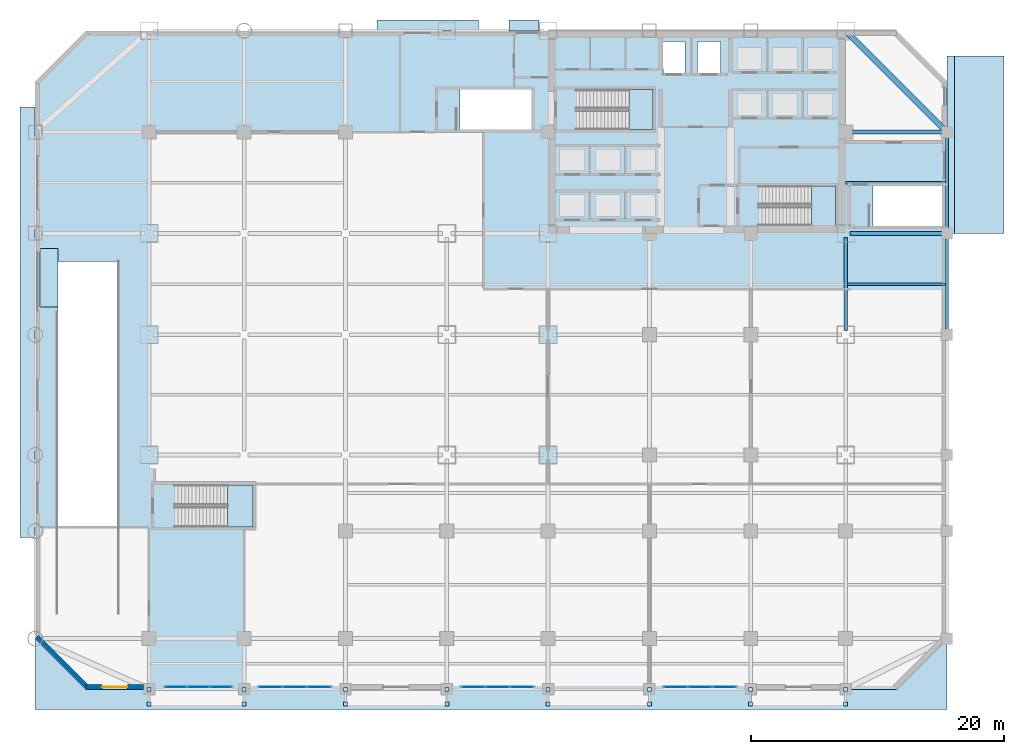
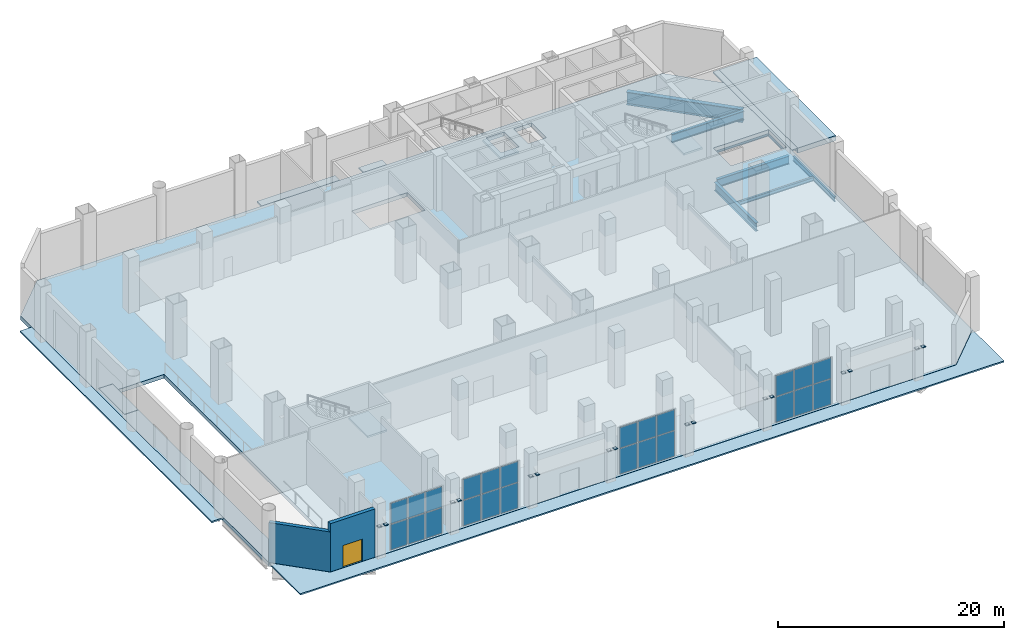
# One storey, part 10 of 19: 40 plates, 11 slabs, 8 beams, 2 walls, 1 door, 1 opening, 7 elements without a shape of their own.
"""IFC4 building model written with IfcOpenShell, lengths in metres."""

from ifc_helpers import new_model, si_unit, direction, frame, frame_2d, origin, origin_2d, place, context, subcontext, project, spatial, polyline, rectangle, i_section, outline, extrude, material, layer, layer_set, material_profile, profile_set, type_object, element, fill, aggregate, save


model = new_model("IFC4")

# Units and contexts
model_context = context("Model", 3, precision=1e-05, world=origin(), true_north=direction((0.0, 1.0)))
body_context = subcontext(model_context, "Body", "Model", "MODEL_VIEW")
ifc_project = project(units=[si_unit("LENGTHUNIT", "METRE"), si_unit("AREAUNIT", "SQUARE_METRE"), si_unit("VOLUMEUNIT", "CUBIC_METRE"), si_unit("PLANEANGLEUNIT", "RADIAN"), si_unit("MASSUNIT", "GRAM", prefix="KILO")], contexts=[model_context])

# Site, building, storey
site_placement = place(None, origin())
site = spatial("IfcSite", under=ifc_project, at=site_placement, CompositionType="ELEMENT")
building_placement = place(site_placement, origin())
building = spatial("IfcBuilding", under=site, at=building_placement, Name="Qianrong Seaharbour Tower", CompositionType="ELEMENT")
storey_placement = place(building_placement, origin())
storey = spatial("IfcBuildingStorey", under=building, at=storey_placement, Name="L01", CompositionType="ELEMENT", Elevation=0.0)

# Beams
ifc_material_1 = material(Name="Structural steel SN490B", Category="steel")
ifc_material_profile_1 = material_profile(ifc_material_1, i_section(OverallWidth=0.300048828125, OverallDepth=0.89990234375, WebThickness=0.01611328125, FlangeThickness=0.028076171875, FilletRadius=0.028076171875, at=origin_2d()), Name="H900x300x16x28")
ifc_profile_set_1 = profile_set([ifc_material_profile_1], Name="Structural steel SN490B")
beam_type_1 = type_object("IfcBeamType", Name="BM-G-900", PredefinedType="BEAM", material=ifc_profile_set_1)
for number, where, z_axis, x_axis, name in (
    (1, (64.320068359375, 36.0, -0.8701171875), (1.0, 0.0, 0.0), (0.0, 1.0, 0.0), "L01 Primary Girder GF G9-G10"),
    (2, (64.320068359375, 44.0, -0.8701171875), (1.0, 0.0, 0.0), (0.0, 1.0, 0.0), "L01 Primary Girder GG G9-G10"),
    (3, (64.0, 28.320068359375, -0.8701171875), (0.0, 1.0, 0.0), (-1.0, 0.0, 0.0), "L01 Primary Girder G9 GE-GF"),
):
    element("IfcBeam", number, at=place(storey_placement, frame(where, z_axis=z_axis, x_axis=x_axis)), inside=storey, type_object=beam_type_1, Name=name, PredefinedType="BEAM", context=body_context, shape_type="SweptSolid", body=[
        extrude(i_section(OverallWidth=0.300048828125, OverallDepth=0.89990234375, WebThickness=0.01611328125, FlangeThickness=0.028076171875, FilletRadius=0.028076171875, at=origin_2d()), origin(), (0.0, 0.0, 1.0), 7.35986328125),
    ])
ifc_material_2 = material(Name="Structural steel SN400B", Category="steel")
ifc_material_profile_2 = material_profile(ifc_material_2, i_section(OverallWidth=0.199951171875, OverallDepth=0.39990234375, WebThickness=0.008056640625, FlangeThickness=0.012939453125, FilletRadius=0.01611328125, at=origin_2d()), Name="H400x200x8x13")
ifc_profile_set_2 = profile_set([ifc_material_profile_2], Name="Structural steel SN400B")
beam_type_2 = type_object("IfcBeamType", Name="BM-J-400", PredefinedType="JOIST", material=ifc_profile_set_2)
beam_1_placement = place(storey_placement, frame((64.14990234375, 32.0, -0.6201171875), z_axis=(1.0, 0.0, 0.0), x_axis=(0.0, 1.0, 0.0)))
element("IfcBeam", 4, at=beam_1_placement, inside=storey, type_object=beam_type_2, Name="L01 Composite Floor Joist G9-G10/GE-GF", PredefinedType="JOIST", context=body_context, shape_type="SweptSolid", body=[
    extrude(i_section(OverallWidth=0.199951171875, OverallDepth=0.39990234375, WebThickness=0.008056640625, FlangeThickness=0.012939453125, FilletRadius=0.01611328125, at=origin_2d()), origin(), (0.0, 0.0, 1.0), 7.75),
])
beam_2_placement = place(storey_placement, frame((64.0, 40.0, -0.6201171875), z_axis=(1.0, 0.0, 0.0), x_axis=(0.0, 1.0, 0.0)))
element("IfcBeam", 5, at=beam_2_placement, inside=storey, type_object=beam_type_2, Name="L01 Composite Floor Joist G9-G10/GF-GG", PredefinedType="JOIST", context=body_context, shape_type="SweptSolid", body=[
    extrude(i_section(OverallWidth=0.199951171875, OverallDepth=0.39990234375, WebThickness=0.008056640625, FlangeThickness=0.012939453125, FilletRadius=0.01611328125, at=origin_2d()), origin(), (0.0, 0.0, 1.0), 7.89990234375),
])
ifc_material_profile_3 = material_profile(ifc_material_1, i_section(OverallWidth=0.199951171875, OverallDepth=0.5, WebThickness=0.010009765625, FlangeThickness=0.01611328125, FilletRadius=0.02001953125, at=origin_2d()), Name="H500x200x10x16")
ifc_profile_set_3 = profile_set([ifc_material_profile_3], Name="Structural steel SN490B")
beam_type_3 = type_object("IfcBeamType", Name="BM-SP-500", PredefinedType="SPANDREL", material=ifc_profile_set_3)
for number, where, z_axis, x_axis, name in (
    (6, (72.0, 28.320068359375, -0.669921875), (0.0, 1.0, 0.0), (-1.0, 0.0, 0.0), "L01 Spandrel Girder G10 GE-GF"),
    (7, (72.0, 36.320068359375, -0.669921875), (0.0, 1.0, 0.0), (-1.0, 0.0, 0.0), "L01 Spandrel Girder G10 GF-GG"),
):
    element("IfcBeam", number, at=place(storey_placement, frame(where, z_axis=z_axis, x_axis=x_axis)), inside=storey, type_object=beam_type_3, Name=name, PredefinedType="SPANDREL", context=body_context, shape_type="SweptSolid", body=[
        extrude(i_section(OverallWidth=0.199951171875, OverallDepth=0.5, WebThickness=0.010009765625, FlangeThickness=0.01611328125, FilletRadius=0.02001953125, at=origin_2d()), origin(), (0.0, 0.0, 1.0), 7.35986328125),
    ])
ifc_material_profile_4 = material_profile(ifc_material_1, i_section(OverallWidth=0.449951171875, OverallDepth=1.39990234375, WebThickness=0.02197265625, FlangeThickness=0.0400390625, at=origin_2d()), Name="BH1400x450x22x40")
ifc_profile_set_4 = profile_set([ifc_material_profile_4], Name="Structural steel SN490B")
beam_type_4 = type_object("IfcBeamType", Name="BM-TG-1400", PredefinedType="BEAM", material=ifc_profile_set_4)
beam_3_placement = place(storey_placement, frame((64.226318359375, 51.773681640625, -1.1201171875), z_axis=(0.707106781187, -0.707106781187, 0.0), x_axis=(0.707106781187, 0.707106781187, 0.0)))
element("IfcBeam", 8, at=beam_3_placement, inside=storey, type_object=beam_type_4, Name="L01 Chamfer Corner Spandrel Girder G10/GH", PredefinedType="BEAM", context=body_context, shape_type="SweptSolid", body=[
    extrude(i_section(OverallWidth=0.449951171875, OverallDepth=1.39990234375, WebThickness=0.02197265625, FlangeThickness=0.0400390625, at=origin_2d()), origin(), (0.0, 0.0, 1.0), 10.673583984375),
])

# Curtain wall, plates
ifc_material_3 = material(Name="Anodised aluminium 6063-T6 and laminated low-e glass", Category="aluminium")
ifc_layer_1 = layer(ifc_material_3, 0.219970703125)
ifc_layer_set_1 = layer_set([ifc_layer_1], Name="Anodised aluminium 6063-T6 and laminated low-e glass")
curtain_wall_type = type_object("IfcCurtainWallType", Name="CW-SYS-1", PredefinedType="NOTDEFINED", material=ifc_layer_set_1)
curtain_wall_1_placement = place(storey_placement, origin())
curtain_wall_1 = element("IfcCurtainWall", 9, at=curtain_wall_1_placement, inside=storey, type_object=curtain_wall_type, Name="L01 Waterfront Colonnade Curtain Wall Bay 1", PredefinedType="NOTDEFINED")
ifc_material_4 = material(Name="Laminated solar-control low-e glass", Category="glass")
ifc_layer_2 = layer(ifc_material_4, 0.031982421875)
ifc_layer_set_2 = layer_set([ifc_layer_2], Name="Laminated solar-control low-e glass")
plate_type_1 = type_object("IfcPlateType", Name="CW-PAN-VISION-32", PredefinedType="CURTAIN_PANEL", material=ifc_layer_set_2)
plate_1_placement = place(storey_placement, frame((14.679931640625, 0.18994140625, 0.06982421875), z_axis=(0.0, 0.0, 1.0), x_axis=(-1.0, 0.0, 0.0)))
plate_1 = element("IfcPlate", 10, at=plate_1_placement, type_object=plate_type_1, Name="CW-1 panel 1.1", PredefinedType="CURTAIN_PANEL", context=body_context, shape_type="SweptSolid", body=[
    extrude(rectangle(XDim=1.679931640625, YDim=0.031982421875, at=origin_2d()), origin(), (0.0, 0.0, 1.0), 2.743896484375),
])
plate_2_placement = place(storey_placement, frame((14.679931640625, 0.18994140625, 2.884033203125), z_axis=(0.0, 0.0, 1.0), x_axis=(-1.0, 0.0, 0.0)))
plate_2 = element("IfcPlate", 11, at=plate_2_placement, type_object=plate_type_1, Name="CW-1 panel 1.2", PredefinedType="CURTAIN_PANEL", context=body_context, shape_type="SweptSolid", body=[
    extrude(rectangle(XDim=1.679931640625, YDim=0.031982421875, at=origin_2d()), origin(), (0.0, 0.0, 1.0), 2.22607421875),
])
plate_3_placement = place(storey_placement, frame((12.89990234375, 0.18994140625, 0.06982421875), z_axis=(0.0, 0.0, 1.0), x_axis=(-1.0, 0.0, 0.0)))
plate_3 = element("IfcPlate", 12, at=plate_3_placement, type_object=plate_type_1, Name="CW-1 panel 2.1", PredefinedType="CURTAIN_PANEL", context=body_context, shape_type="SweptSolid", body=[
    extrude(rectangle(XDim=1.719970703125, YDim=0.031982421875, at=origin_2d()), origin(), (0.0, 0.0, 1.0), 2.743896484375),
])
plate_4_placement = place(storey_placement, frame((12.89990234375, 0.18994140625, 2.884033203125), z_axis=(0.0, 0.0, 1.0), x_axis=(-1.0, 0.0, 0.0)))
plate_4 = element("IfcPlate", 13, at=plate_4_placement, type_object=plate_type_1, Name="CW-1 panel 2.2", PredefinedType="CURTAIN_PANEL", context=body_context, shape_type="SweptSolid", body=[
    extrude(rectangle(XDim=1.719970703125, YDim=0.031982421875, at=origin_2d()), origin(), (0.0, 0.0, 1.0), 2.22607421875),
])
plate_5_placement = place(storey_placement, frame((11.1201171875, 0.18994140625, 0.06982421875), z_axis=(0.0, 0.0, 1.0), x_axis=(-1.0, 0.0, 0.0)))
plate_5 = element("IfcPlate", 14, at=plate_5_placement, type_object=plate_type_1, Name="CW-1 panel 3.1", PredefinedType="CURTAIN_PANEL", context=body_context, shape_type="SweptSolid", body=[
    extrude(rectangle(XDim=1.679931640625, YDim=0.031982421875, at=origin_2d()), origin(), (0.0, 0.0, 1.0), 2.743896484375),
])
plate_6_placement = place(storey_placement, frame((11.1201171875, 0.18994140625, 2.884033203125), z_axis=(0.0, 0.0, 1.0), x_axis=(-1.0, 0.0, 0.0)))
plate_6 = element("IfcPlate", 15, at=plate_6_placement, type_object=plate_type_1, Name="CW-1 panel 3.2", PredefinedType="CURTAIN_PANEL", context=body_context, shape_type="SweptSolid", body=[
    extrude(rectangle(XDim=1.679931640625, YDim=0.031982421875, at=origin_2d()), origin(), (0.0, 0.0, 1.0), 2.22607421875),
])
aggregate(curtain_wall_1, [plate_1, plate_2, plate_3, plate_4, plate_5, plate_6])

curtain_wall_2_placement = place(storey_placement, origin())
curtain_wall_2 = element("IfcCurtainWall", 16, at=curtain_wall_2_placement, inside=storey, type_object=curtain_wall_type, Name="L01 Waterfront Colonnade Curtain Wall Bay 2", PredefinedType="NOTDEFINED")
plate_7_placement = place(storey_placement, frame((22.413330078125, 0.18994140625, 0.06982421875), z_axis=(0.0, 0.0, 1.0), x_axis=(-1.0, 0.0, 0.0)))
plate_7 = element("IfcPlate", 17, at=plate_7_placement, type_object=plate_type_1, Name="CW-1 panel 1.1", PredefinedType="CURTAIN_PANEL", context=body_context, shape_type="SweptSolid", body=[
    extrude(rectangle(XDim=1.813232421875, YDim=0.031982421875, at=origin_2d()), origin(), (0.0, 0.0, 1.0), 2.743896484375),
])
plate_8_placement = place(storey_placement, frame((22.413330078125, 0.18994140625, 2.884033203125), z_axis=(0.0, 0.0, 1.0), x_axis=(-1.0, 0.0, 0.0)))
plate_8 = element("IfcPlate", 18, at=plate_8_placement, type_object=plate_type_1, Name="CW-1 panel 1.2", PredefinedType="CURTAIN_PANEL", context=body_context, shape_type="SweptSolid", body=[
    extrude(rectangle(XDim=1.813232421875, YDim=0.031982421875, at=origin_2d()), origin(), (0.0, 0.0, 1.0), 2.22607421875),
])
plate_9_placement = place(storey_placement, frame((20.5, 0.18994140625, 0.06982421875), z_axis=(0.0, 0.0, 1.0), x_axis=(-1.0, 0.0, 0.0)))
plate_9 = element("IfcPlate", 19, at=plate_9_placement, type_object=plate_type_1, Name="CW-1 panel 2.1", PredefinedType="CURTAIN_PANEL", context=body_context, shape_type="SweptSolid", body=[
    extrude(rectangle(XDim=1.853271484375, YDim=0.031982421875, at=origin_2d()), origin(), (0.0, 0.0, 1.0), 2.743896484375),
])
plate_10_placement = place(storey_placement, frame((20.5, 0.18994140625, 2.884033203125), z_axis=(0.0, 0.0, 1.0), x_axis=(-1.0, 0.0, 0.0)))
plate_10 = element("IfcPlate", 20, at=plate_10_placement, type_object=plate_type_1, Name="CW-1 panel 2.2", PredefinedType="CURTAIN_PANEL", context=body_context, shape_type="SweptSolid", body=[
    extrude(rectangle(XDim=1.853271484375, YDim=0.031982421875, at=origin_2d()), origin(), (0.0, 0.0, 1.0), 2.22607421875),
])
plate_11_placement = place(storey_placement, frame((18.586669921875, 0.18994140625, 0.06982421875), z_axis=(0.0, 0.0, 1.0), x_axis=(-1.0, 0.0, 0.0)))
plate_11 = element("IfcPlate", 21, at=plate_11_placement, type_object=plate_type_1, Name="CW-1 panel 3.1", PredefinedType="CURTAIN_PANEL", context=body_context, shape_type="SweptSolid", body=[
    extrude(rectangle(XDim=1.813232421875, YDim=0.031982421875, at=origin_2d()), origin(), (0.0, 0.0, 1.0), 2.743896484375),
])
plate_12_placement = place(storey_placement, frame((18.586669921875, 0.18994140625, 2.884033203125), z_axis=(0.0, 0.0, 1.0), x_axis=(-1.0, 0.0, 0.0)))
plate_12 = element("IfcPlate", 22, at=plate_12_placement, type_object=plate_type_1, Name="CW-1 panel 3.2", PredefinedType="CURTAIN_PANEL", context=body_context, shape_type="SweptSolid", body=[
    extrude(rectangle(XDim=1.813232421875, YDim=0.031982421875, at=origin_2d()), origin(), (0.0, 0.0, 1.0), 2.22607421875),
])
aggregate(curtain_wall_2, [plate_7, plate_8, plate_9, plate_10, plate_11, plate_12])

curtain_wall_3_placement = place(storey_placement, origin())
curtain_wall_3 = element("IfcCurtainWall", 23, at=curtain_wall_3_placement, inside=storey, type_object=curtain_wall_type, Name="L01 Waterfront Colonnade Curtain Wall Bay 3", PredefinedType="NOTDEFINED")
plate_13_placement = place(storey_placement, frame((38.413330078125, 0.18994140625, 0.06982421875), z_axis=(0.0, 0.0, 1.0), x_axis=(-1.0, 0.0, 0.0)))
plate_13 = element("IfcPlate", 24, at=plate_13_placement, type_object=plate_type_1, Name="CW-1 panel 1.1", PredefinedType="CURTAIN_PANEL", context=body_context, shape_type="SweptSolid", body=[
    extrude(rectangle(XDim=1.813232421875, YDim=0.031982421875, at=origin_2d()), origin(), (0.0, 0.0, 1.0), 2.743896484375),
])
plate_14_placement = place(storey_placement, frame((38.413330078125, 0.18994140625, 2.884033203125), z_axis=(0.0, 0.0, 1.0), x_axis=(-1.0, 0.0, 0.0)))
plate_14 = element("IfcPlate", 25, at=plate_14_placement, type_object=plate_type_1, Name="CW-1 panel 1.2", PredefinedType="CURTAIN_PANEL", context=body_context, shape_type="SweptSolid", body=[
    extrude(rectangle(XDim=1.813232421875, YDim=0.031982421875, at=origin_2d()), origin(), (0.0, 0.0, 1.0), 2.22607421875),
])
plate_15_placement = place(storey_placement, frame((36.5, 0.18994140625, 0.06982421875), z_axis=(0.0, 0.0, 1.0), x_axis=(-1.0, 0.0, 0.0)))
plate_15 = element("IfcPlate", 26, at=plate_15_placement, type_object=plate_type_1, Name="CW-1 panel 2.1", PredefinedType="CURTAIN_PANEL", context=body_context, shape_type="SweptSolid", body=[
    extrude(rectangle(XDim=1.853271484375, YDim=0.031982421875, at=origin_2d()), origin(), (0.0, 0.0, 1.0), 2.743896484375),
])
plate_16_placement = place(storey_placement, frame((36.5, 0.18994140625, 2.884033203125), z_axis=(0.0, 0.0, 1.0), x_axis=(-1.0, 0.0, 0.0)))
plate_16 = element("IfcPlate", 27, at=plate_16_placement, type_object=plate_type_1, Name="CW-1 panel 2.2", PredefinedType="CURTAIN_PANEL", context=body_context, shape_type="SweptSolid", body=[
    extrude(rectangle(XDim=1.853271484375, YDim=0.031982421875, at=origin_2d()), origin(), (0.0, 0.0, 1.0), 2.22607421875),
])
plate_17_placement = place(storey_placement, frame((34.586669921875, 0.18994140625, 0.06982421875), z_axis=(0.0, 0.0, 1.0), x_axis=(-1.0, 0.0, 0.0)))
plate_17 = element("IfcPlate", 28, at=plate_17_placement, type_object=plate_type_1, Name="CW-1 panel 3.1", PredefinedType="CURTAIN_PANEL", context=body_context, shape_type="SweptSolid", body=[
    extrude(rectangle(XDim=1.813232421875, YDim=0.031982421875, at=origin_2d()), origin(), (0.0, 0.0, 1.0), 2.743896484375),
])
plate_18_placement = place(storey_placement, frame((34.586669921875, 0.18994140625, 2.884033203125), z_axis=(0.0, 0.0, 1.0), x_axis=(-1.0, 0.0, 0.0)))
plate_18 = element("IfcPlate", 29, at=plate_18_placement, type_object=plate_type_1, Name="CW-1 panel 3.2", PredefinedType="CURTAIN_PANEL", context=body_context, shape_type="SweptSolid", body=[
    extrude(rectangle(XDim=1.813232421875, YDim=0.031982421875, at=origin_2d()), origin(), (0.0, 0.0, 1.0), 2.22607421875),
])
aggregate(curtain_wall_3, [plate_13, plate_14, plate_15, plate_16, plate_17, plate_18])

curtain_wall_4_placement = place(storey_placement, origin())
curtain_wall_4 = element("IfcCurtainWall", 30, at=curtain_wall_4_placement, inside=storey, type_object=curtain_wall_type, Name="L01 Waterfront Colonnade Curtain Wall Bay 4", PredefinedType="NOTDEFINED")
plate_19_placement = place(storey_placement, frame((54.413330078125, 0.18994140625, 0.06982421875), z_axis=(0.0, 0.0, 1.0), x_axis=(-1.0, 0.0, 0.0)))
plate_19 = element("IfcPlate", 31, at=plate_19_placement, type_object=plate_type_1, Name="CW-1 panel 1.1", PredefinedType="CURTAIN_PANEL", context=body_context, shape_type="SweptSolid", body=[
    extrude(rectangle(XDim=1.813232421875, YDim=0.031982421875, at=origin_2d()), origin(), (0.0, 0.0, 1.0), 2.743896484375),
])
plate_20_placement = place(storey_placement, frame((54.413330078125, 0.18994140625, 2.884033203125), z_axis=(0.0, 0.0, 1.0), x_axis=(-1.0, 0.0, 0.0)))
plate_20 = element("IfcPlate", 32, at=plate_20_placement, type_object=plate_type_1, Name="CW-1 panel 1.2", PredefinedType="CURTAIN_PANEL", context=body_context, shape_type="SweptSolid", body=[
    extrude(rectangle(XDim=1.813232421875, YDim=0.031982421875, at=origin_2d()), origin(), (0.0, 0.0, 1.0), 2.22607421875),
])
plate_21_placement = place(storey_placement, frame((52.5, 0.18994140625, 0.06982421875), z_axis=(0.0, 0.0, 1.0), x_axis=(-1.0, 0.0, 0.0)))
plate_21 = element("IfcPlate", 33, at=plate_21_placement, type_object=plate_type_1, Name="CW-1 panel 2.1", PredefinedType="CURTAIN_PANEL", context=body_context, shape_type="SweptSolid", body=[
    extrude(rectangle(XDim=1.853271484375, YDim=0.031982421875, at=origin_2d()), origin(), (0.0, 0.0, 1.0), 2.743896484375),
])
plate_22_placement = place(storey_placement, frame((52.5, 0.18994140625, 2.884033203125), z_axis=(0.0, 0.0, 1.0), x_axis=(-1.0, 0.0, 0.0)))
plate_22 = element("IfcPlate", 34, at=plate_22_placement, type_object=plate_type_1, Name="CW-1 panel 2.2", PredefinedType="CURTAIN_PANEL", context=body_context, shape_type="SweptSolid", body=[
    extrude(rectangle(XDim=1.853271484375, YDim=0.031982421875, at=origin_2d()), origin(), (0.0, 0.0, 1.0), 2.22607421875),
])
plate_23_placement = place(storey_placement, frame((50.586669921875, 0.18994140625, 0.06982421875), z_axis=(0.0, 0.0, 1.0), x_axis=(-1.0, 0.0, 0.0)))
plate_23 = element("IfcPlate", 35, at=plate_23_placement, type_object=plate_type_1, Name="CW-1 panel 3.1", PredefinedType="CURTAIN_PANEL", context=body_context, shape_type="SweptSolid", body=[
    extrude(rectangle(XDim=1.813232421875, YDim=0.031982421875, at=origin_2d()), origin(), (0.0, 0.0, 1.0), 2.743896484375),
])
plate_24_placement = place(storey_placement, frame((50.586669921875, 0.18994140625, 2.884033203125), z_axis=(0.0, 0.0, 1.0), x_axis=(-1.0, 0.0, 0.0)))
plate_24 = element("IfcPlate", 36, at=plate_24_placement, type_object=plate_type_1, Name="CW-1 panel 3.2", PredefinedType="CURTAIN_PANEL", context=body_context, shape_type="SweptSolid", body=[
    extrude(rectangle(XDim=1.813232421875, YDim=0.031982421875, at=origin_2d()), origin(), (0.0, 0.0, 1.0), 2.22607421875),
])
aggregate(curtain_wall_4, [plate_19, plate_20, plate_21, plate_22, plate_23, plate_24])

# Plates
ifc_layer_3 = layer(ifc_material_1, 0.044921875)
ifc_layer_set_3 = layer_set([ifc_layer_3], Name="Structural steel SN490B")
plate_type_2 = type_object("IfcPlateType", Name="PLT-COL-CAP-45", PredefinedType="SHEET", material=ifc_layer_set_3)
for number, where, z_axis, x_axis, name in (
    (37, (9.0, 0.0, 3.177490234375), (0.0, 0.0, 1.0), (1.0, 0.0, 0.0), "Colonnade Canopy Strut Column Cleat Plate 1W"),
    (38, (9.0, -1.14990234375, 4.07763671875), (0.0, 0.0, 1.0), (1.0, 0.0, 0.0), "Colonnade Canopy Strut Roof Cleat Plate 1W"),
    (39, (16.5, 0.0, 3.177490234375), (0.0, 0.0, 1.0), (1.0, 0.0, 0.0), "Colonnade Canopy Strut Column Cleat Plate 1E"),
    (40, (16.5, -1.14990234375, 4.07763671875), (0.0, 0.0, 1.0), (1.0, 0.0, 0.0), "Colonnade Canopy Strut Roof Cleat Plate 1E"),
    (41, (24.5, 0.0, 3.177490234375), (0.0, 0.0, 1.0), (1.0, 0.0, 0.0), "Colonnade Canopy Strut Column Cleat Plate 2W"),
    (42, (24.5, -1.14990234375, 4.07763671875), (0.0, 0.0, 1.0), (1.0, 0.0, 0.0), "Colonnade Canopy Strut Roof Cleat Plate 2W"),
    (43, (32.5, 0.0, 3.177490234375), (0.0, 0.0, 1.0), (1.0, 0.0, 0.0), "Colonnade Canopy Strut Column Cleat Plate 2E"),
    (44, (32.5, -1.14990234375, 4.07763671875), (0.0, 0.0, 1.0), (1.0, 0.0, 0.0), "Colonnade Canopy Strut Roof Cleat Plate 2E"),
    (45, (40.5, 0.0, 3.177490234375), (0.0, 0.0, 1.0), (1.0, 0.0, 0.0), "Colonnade Canopy Strut Column Cleat Plate 3W"),
    (46, (40.5, -1.14990234375, 4.07763671875), (0.0, 0.0, 1.0), (1.0, 0.0, 0.0), "Colonnade Canopy Strut Roof Cleat Plate 3W"),
    (47, (48.5, 0.0, 3.177490234375), (0.0, 0.0, 1.0), (1.0, 0.0, 0.0), "Colonnade Canopy Strut Column Cleat Plate 3E"),
    (48, (48.5, -1.14990234375, 4.07763671875), (0.0, 0.0, 1.0), (1.0, 0.0, 0.0), "Colonnade Canopy Strut Roof Cleat Plate 3E"),
    (49, (56.5, 0.0, 3.177490234375), (0.0, 0.0, 1.0), (1.0, 0.0, 0.0), "Colonnade Canopy Strut Column Cleat Plate 4W"),
    (50, (56.5, -1.14990234375, 4.07763671875), (0.0, 0.0, 1.0), (1.0, 0.0, 0.0), "Colonnade Canopy Strut Roof Cleat Plate 4W"),
    (51, (64.0, 0.0, 3.177490234375), (0.0, 0.0, 1.0), (1.0, 0.0, 0.0), "Colonnade Canopy Strut Column Cleat Plate 4E"),
    (52, (64.0, -1.14990234375, 4.07763671875), (0.0, 0.0, 1.0), (1.0, 0.0, 0.0), "Colonnade Canopy Strut Roof Cleat Plate 4E"),
):
    element("IfcPlate", number, at=place(storey_placement, frame(where, z_axis=z_axis, x_axis=x_axis)), inside=storey, type_object=plate_type_2, Name=name, PredefinedType="SHEET", context=body_context, shape_type="SweptSolid", body=[
        extrude(rectangle(XDim=0.320068359375, YDim=0.320068359375, at=origin_2d()), origin(), (0.0, 0.0, 1.0), 0.044921875),
    ])

# Slabs
ifc_material_5 = material(Name="Natural honed granite dimension stone", Category="masonry")
ifc_layer_4 = layer(ifc_material_5, 0.14990234375)
ifc_layer_set_4 = layer_set([ifc_layer_4], Name="Natural honed granite dimension stone")
slab_type_1 = type_object("IfcSlabType", Name="SLAB-PAVING-150", PredefinedType="USERDEFINED", material=ifc_layer_set_4)
slab_1_placement = place(storey_placement, frame((0.0, 0.0, -0.14990234375)))
element("IfcSlab", 53, at=slab_1_placement, inside=storey, type_object=slab_type_1, Name="WATERFRONT PROMENADE PAVING", ObjectType="PAVING", PredefinedType="USERDEFINED", context=body_context, shape_type="SweptSolid", body=[
    extrude(outline(polyline([(72.0, -1.60009765625), (0.0, -1.60009765625), (0.0, 3.9716796875), (3.98583984375, -0.01416015625), (3.9873046875, -0.015380859375), (3.989013671875, -0.0166015625), (3.990478515625, -0.017578125), (3.9921875, -0.0185546875), (3.994140625, -0.01904296875), (3.99609375, -0.01953125), (3.998046875, -0.02001953125), (4.0, -0.02001953125), (68.0, -0.02001953125), (68.001953125, -0.02001953125), (68.00390625, -0.01953125), (68.005859375, -0.01904296875), (68.0078125, -0.0185546875), (68.009521484375, -0.017578125), (68.010986328125, -0.0166015625), (68.0126953125, -0.015380859375), (68.01416015625, -0.01416015625), (72.0, 3.9716796875), (72.0, -1.60009765625)])), origin(), (0.0, 0.0, 1.0), 0.14990234375),
])
slab_2_placement = place(storey_placement, frame((0.0, 0.0, -0.14990234375)))
element("IfcSlab", 54, at=slab_2_placement, inside=storey, type_object=slab_type_1, Name="West Vehicular and Service Apron Paving", ObjectType="PAVING", PredefinedType="USERDEFINED", context=body_context, shape_type="SweptSolid", body=[
    extrude(outline(polyline([(-1.199951171875, 12.0), (0.0, 12.0), (0.0, 46.0), (-1.199951171875, 46.0), (-1.199951171875, 12.0)])), origin(), (0.0, 0.0, 1.0), 0.14990234375),
])
slab_3_placement = place(storey_placement, frame((0.0, 0.0, -0.14990234375)))
element("IfcSlab", 55, at=slab_3_placement, inside=storey, type_object=slab_type_1, Name="North Exit Discharge Apron Paving", ObjectType="PAVING", PredefinedType="USERDEFINED", context=body_context, shape_type="SweptSolid", body=[
    extrude(outline(polyline([(27.0, 52.0), (35.0, 52.0), (35.0, 52.85009765625), (27.0, 52.85009765625), (27.0, 52.0)])), origin(), (0.0, 0.0, 1.0), 0.14990234375),
])
slab_4_placement = place(storey_placement, frame((0.0, 0.0, -0.14990234375)))
element("IfcSlab", 56, at=slab_4_placement, inside=storey, type_object=slab_type_1, Name="North Vestibule Exit Discharge Apron Paving", ObjectType="PAVING", PredefinedType="USERDEFINED", context=body_context, shape_type="SweptSolid", body=[
    extrude(outline(polyline([(37.39990234375, 52.0), (39.800048828125, 52.0), (39.800048828125, 52.85009765625), (37.39990234375, 52.85009765625), (37.39990234375, 52.0)])), origin(), (0.0, 0.0, 1.0), 0.14990234375),
])
slab_5_placement = place(storey_placement, frame((0.0, 0.0, -0.14990234375)))
element("IfcSlab", 57, at=slab_5_placement, inside=storey, type_object=slab_type_1, Name="East Disaster Center and Exit Apron Paving", ObjectType="PAVING", PredefinedType="USERDEFINED", context=body_context, shape_type="SweptSolid", body=[
    extrude(outline(polyline([(72.0, 36.0), (72.60009765625, 36.0), (72.60009765625, 50.0), (72.0, 50.0), (72.0, 36.0)])), origin(), (0.0, 0.0, 1.0), 0.14990234375),
])
ifc_material_6 = material(Name="Concrete C50/60", Category="concrete")
ifc_layer_5 = layer(ifc_material_6, 0.419921875)
ifc_layer_set_5 = layer_set([ifc_layer_5], Name="Concrete C50/60")
slab_type_2 = type_object("IfcSlabType", Name="SLAB-POD-420", PredefinedType="FLOOR", material=ifc_layer_set_5)
slab_6_placement = place(storey_placement, frame((0.0, 0.0, -0.419921875)))
element("IfcSlab", 58, at=slab_6_placement, inside=storey, type_object=slab_type_2, Name="L01 Structural Floor Slab", PredefinedType="FLOOR", context=body_context, shape_type="SweptSolid", body=[
    extrude(outline(polyline([(4.0, 0.0), (68.0, 0.0), (72.0, 4.0), (72.0, 48.0), (68.0, 52.0), (4.0, 52.0), (0.0, 48.0), (0.0, 4.0), (4.0, 0.0)]), holes=[polyline([(33.5400390625, 44.199951171875), (33.5400390625, 47.35009765625), (39.199951171875, 47.35009765625), (39.199951171875, 44.199951171875), (33.5400390625, 44.199951171875)]), polyline([(66.139892578125, 36.60009765625), (66.139892578125, 39.75), (71.800048828125, 39.75), (71.800048828125, 36.60009765625), (66.139892578125, 36.60009765625)]), polyline([(49.47998046875, 48.530029296875), (49.47998046875, 51.169921875), (51.320068359375, 51.169921875), (51.320068359375, 48.530029296875), (49.47998046875, 48.530029296875)]), polyline([(52.280029296875, 48.530029296875), (52.280029296875, 51.169921875), (54.1201171875, 51.169921875), (54.1201171875, 48.530029296875), (52.280029296875, 48.530029296875)]), polyline([(0.3798828125, 30.179931640625), (1.800048828125, 30.179931640625), (1.800048828125, 6.0), (6.5, 6.0), (6.5, 33.800048828125), (1.820068359375, 33.800048828125), (1.820068359375, 34.820068359375), (0.3798828125, 34.820068359375), (0.3798828125, 30.179931640625)])]), origin(), (0.0, 0.0, 1.0), 0.419921875),
])
ifc_material_7 = material(Name="Concrete C60/75", Category="concrete")
ifc_layer_6 = layer(ifc_material_7, 0.550048828125)
ifc_layer_set_6 = layer_set([ifc_layer_6], Name="Concrete C60/75")
slab_type_3 = type_object("IfcSlabType", Name="SLAB-QUAY-PLINTH-550", PredefinedType="USERDEFINED", material=ifc_layer_set_6)
slab_7_placement = place(storey_placement, frame((0.0, 0.0, -0.550048828125)))
element("IfcSlab", 59, at=slab_7_placement, inside=storey, type_object=slab_type_3, Name="East Harbour Quay Seawall Plinth Slab", ObjectType="PLINTH SLAB", PredefinedType="USERDEFINED", context=body_context, shape_type="SweptSolid", body=[
    extrude(outline(polyline([(72.60009765625, 36.0), (76.5, 36.0), (76.5, 50.0), (72.60009765625, 50.0), (72.60009765625, 36.0)])), origin(), (0.0, 0.0, 1.0), 0.550048828125),
])

# Stair, slab
stair_type_1 = type_object("IfcStairType", Name="STAIR-DOGLEG-1500-R32", PredefinedType="HALF_TURN_STAIR", material=ifc_material_6)
stair_1_placement = place(storey_placement, origin())
stair_1 = element("IfcStair", 60, at=stair_1_placement, inside=storey, type_object=stair_type_1, Name="L01 Protected Escape Stair ST-1", PredefinedType="HALF_TURN_STAIR")
ifc_layer_7 = layer(ifc_material_6, 0.199951171875)
ifc_layer_set_7 = layer_set([ifc_layer_7], Name="Concrete C50/60")
slab_type_4 = type_object("IfcSlabType", Name="SLAB-STAIR-LANDING-200", PredefinedType="LANDING", material=ifc_layer_set_7)
slab_8_placement = place(storey_placement, frame((0.0, 0.0, 2.800048828125)))
slab_8 = element("IfcSlab", 61, at=slab_8_placement, type_object=slab_type_4, Name="ST-1 landing 1", PredefinedType="LANDING", context=body_context, shape_type="SweptSolid", body=[
    extrude(outline(polyline([(46.89990234375, 44.199951171875), (48.800048828125, 44.199951171875), (48.800048828125, 47.35009765625), (46.89990234375, 47.35009765625), (46.89990234375, 44.199951171875)])), origin(), (0.0, 0.0, 1.0), 0.199951171875),
])
aggregate(stair_1, [slab_8])

stair_2_placement = place(storey_placement, origin())
stair_2 = element("IfcStair", 62, at=stair_2_placement, inside=storey, type_object=stair_type_1, Name="L01 Protected Escape Stair ST-2", PredefinedType="HALF_TURN_STAIR")
slab_9_placement = place(storey_placement, frame((0.0, 0.0, 2.800048828125)))
slab_9 = element("IfcSlab", 63, at=slab_9_placement, type_object=slab_type_4, Name="ST-2 landing 1", PredefinedType="LANDING", context=body_context, shape_type="SweptSolid", body=[
    extrude(outline(polyline([(61.300048828125, 36.60009765625), (63.199951171875, 36.60009765625), (63.199951171875, 39.75), (61.300048828125, 39.75), (61.300048828125, 36.60009765625)])), origin(), (0.0, 0.0, 1.0), 0.199951171875),
])
aggregate(stair_2, [slab_9])

stair_type_2 = type_object("IfcStairType", Name="STAIR-DOGLEG-1600-R32", PredefinedType="HALF_TURN_STAIR", material=ifc_material_6)
stair_3_placement = place(storey_placement, origin())
stair_3 = element("IfcStair", 64, at=stair_3_placement, inside=storey, type_object=stair_type_2, Name="L01 Protected Escape Stair PST-3", PredefinedType="HALF_TURN_STAIR")
slab_10_placement = place(storey_placement, frame((0.0, 0.0, 2.800048828125)))
slab_10 = element("IfcSlab", 65, at=slab_10_placement, type_object=slab_type_4, Name="PST-3 landing 1", PredefinedType="LANDING", context=body_context, shape_type="SweptSolid", body=[
    extrude(outline(polyline([(15.199951171875, 12.800048828125), (17.199951171875, 12.800048828125), (17.199951171875, 16.14990234375), (15.199951171875, 16.14990234375), (15.199951171875, 12.800048828125)])), origin(), (0.0, 0.0, 1.0), 0.199951171875),
])
aggregate(stair_3, [slab_10])

# Slab
ifc_layer_8 = layer(ifc_material_6, 0.25)
ifc_layer_set_8 = layer_set([ifc_layer_8], Name="Concrete C50/60")
slab_type_5 = type_object("IfcSlabType", Name="SLAB-VEH-LANDING-250", PredefinedType="LANDING", material=ifc_layer_set_8)
slab_11_placement = place(storey_placement, frame((0.0, 0.0, -0.25)))
element("IfcSlab", 66, at=slab_11_placement, inside=storey, type_object=slab_type_5, Name="Car Park Vehicular Ramp Grade Arrival Landing", PredefinedType="LANDING", context=body_context, shape_type="SweptSolid", body=[
    extrude(outline(polyline([(0.39990234375, 30.199951171875), (1.800048828125, 30.199951171875), (1.800048828125, 34.800048828125), (0.39990234375, 34.800048828125), (0.39990234375, 30.199951171875)])), origin(), (0.0, 0.0, 1.0), 0.25),
])

# Wall, opening, door
ifc_layer_9 = layer(ifc_material_5, 0.3798828125)
ifc_layer_set_9 = layer_set([ifc_layer_9], Name="Natural honed granite dimension stone")
wall_type = type_object("IfcWallType", Name="WALL-EXT-GRANITE-380", PredefinedType="SOLIDWALL", material=ifc_layer_set_9)
wall_1_placement = place(storey_placement, frame((8.570068359375, 0.18994140625, 0.0), z_axis=(0.0, 0.0, 1.0), x_axis=(-1.0, 0.0, 0.0)))
wall_1 = element("IfcWall", 67, at=wall_1_placement, inside=storey, type_object=wall_type, Name="L01 Waterfront Colonnade Granite Wall 1", PredefinedType="SOLIDWALL", context=body_context, shape_type="SweptSolid", body=[
    extrude(rectangle(XDim=4.570068359375, YDim=0.3798828125, at=frame_2d((2.28515625, 0.0))), origin(), (0.0, 0.0, 1.0), 5.219970703125),
])
opening_placement = place(wall_1_placement, frame((1.284912109375, 0.0, 0.0)))
opening = element("IfcOpeningElement", 68, at=opening_placement, cuts=wall_1, Name="Opening EXD-1", PredefinedType="OPENING", context=body_context, shape_type="SweptSolid", body=[
    extrude(rectangle(XDim=2.0, YDim=2.39990234375, at=frame_2d((1.0, 1.199951171875))), frame((0.0, 0.199951171875, 0.0), z_axis=(0.0, -1.0, 0.0), x_axis=(1.0, 0.0, 0.0)), (0.0, 0.0, 1.0), 0.39990234375),
])
ifc_material_8 = material(Name="Insulated galvanized steel and laminated glass door assembly", Category="steel")
door_type = type_object("IfcDoorType", Name="DOOR-EXT-EXIT-2000x2400", OperationType="DOUBLE_DOOR_SINGLE_SWING", PredefinedType="DOOR", material=ifc_material_8)
door_placement = place(opening_placement, origin())
door = element("IfcDoor", 69, at=door_placement, inside=storey, type_object=door_type, Name="L01 Waterfront Concourse Exit Door EX-01", OperationType="DOUBLE_DOOR_SINGLE_SWING", OverallHeight=2.39990234375, OverallWidth=2.0, PredefinedType="DOOR", context=body_context, shape_type="SweptSolid", body=[
    extrude(rectangle(XDim=2.0, YDim=2.39990234375, at=frame_2d((1.0, 1.199951171875))), frame((0.0, 0.02490234375, 0.0), z_axis=(0.0, -1.0, 0.0), x_axis=(1.0, 0.0, 0.0)), (0.0, 0.0, 1.0), 0.050048828125),
])
fill(opening, door)

# Wall
wall_2_placement = place(storey_placement, frame((4.13427734375, 0.13427734375, 0.0), z_axis=(0.0, 0.0, 1.0), x_axis=(-0.707106781187, 0.707106781187, 0.0)))
element("IfcWall", 70, at=wall_2_placement, inside=storey, type_object=wall_type, Name="L01 Exterior Masonry Facade Wall E07", PredefinedType="SOLIDWALL", context=body_context, shape_type="SweptSolid", body=[
    extrude(rectangle(XDim=5.65673828125, YDim=0.3798828125, at=frame_2d((2.828369140625, 0.0))), origin(), (0.0, 0.0, 1.0), 4.320068359375),
])

save(model, "model.ifc")
